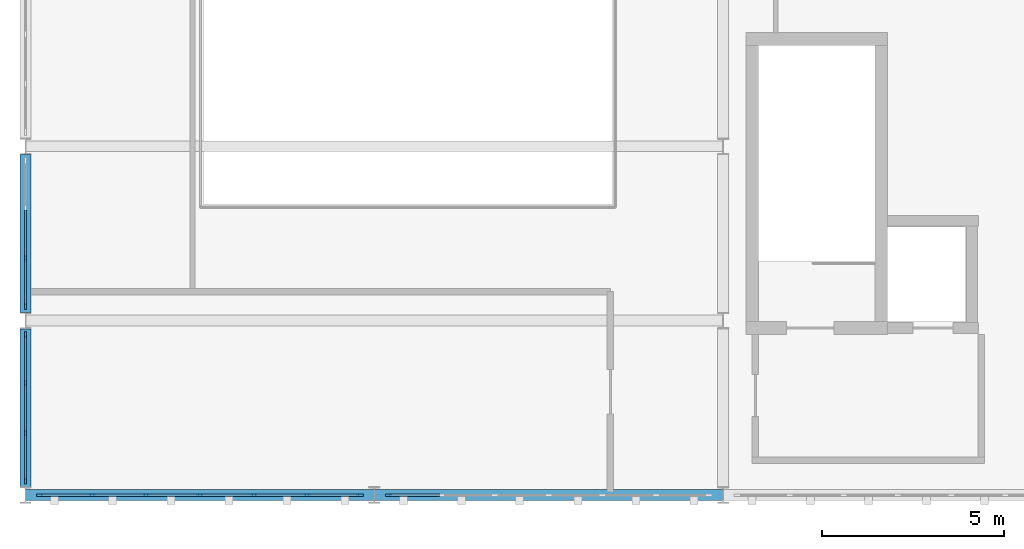
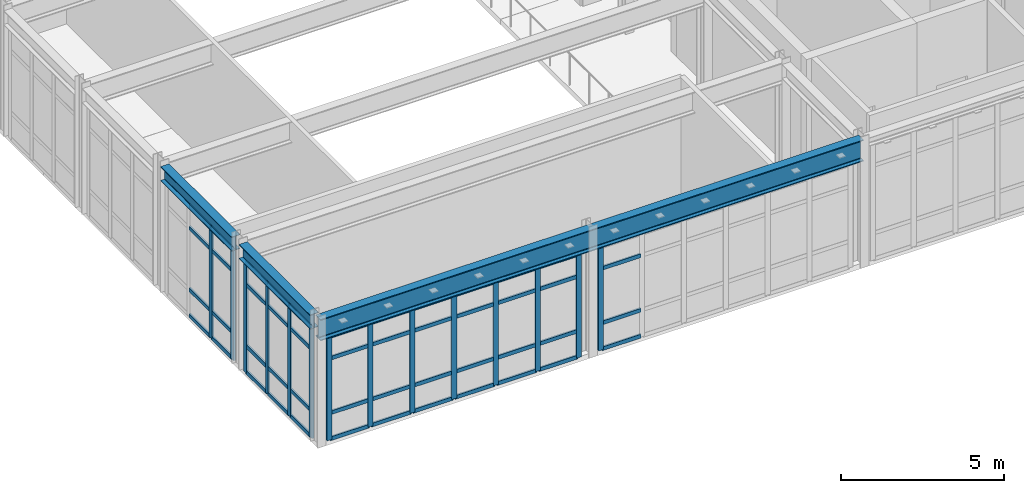
# One storey, part 2 of 16: 61 members, 3 beams, 4 elements without a shape of their own.
"""IFC4 building model written with IfcOpenShell, lengths in metres."""

from ifc_helpers import new_model, si_unit, direction, frame, origin, origin_2d, place, context, subcontext, project, spatial, rectangle, i_section, extrude, material, layer, layer_set, material_profile, profile_set, type_object, element, aggregate, save


model = new_model("IFC4")

# Units and contexts
model_context = context("Model", 3, precision=1e-05, world=origin(), true_north=direction((0.0, 1.0)))
body_context = subcontext(model_context, "Body", "Model", "MODEL_VIEW")
ifc_project = project(units=[si_unit("LENGTHUNIT", "METRE"), si_unit("AREAUNIT", "SQUARE_METRE"), si_unit("VOLUMEUNIT", "CUBIC_METRE"), si_unit("PLANEANGLEUNIT", "RADIAN"), si_unit("MASSUNIT", "GRAM", prefix="KILO")], contexts=[model_context])

# Site, building, storey
site_placement = place(None, origin())
site = spatial("IfcSite", under=ifc_project, at=site_placement, CompositionType="ELEMENT")
building_placement = place(site_placement, origin())
building = spatial("IfcBuilding", under=site, at=building_placement, Name="Nordkorset Police Headquarters", CompositionType="ELEMENT")
storey_placement = place(building_placement, frame((0.0, 0.0, 31.14990234375)))
storey = spatial("IfcBuildingStorey", under=building, at=storey_placement, Name="L07", CompositionType="ELEMENT", Elevation=31.14990234375)

# Curtain wall, members
ifc_material_1 = material(Name="Aluminium alloy AW-6060", Category="aluminium")
ifc_layer_1 = layer(ifc_material_1, 0.179931640625, Name="Aluminium alloy AW-6060")
ifc_layer_set_1 = layer_set([ifc_layer_1], Name="Aluminium alloy AW-6060")
curtain_wall_type_1 = type_object("IfcCurtainWallType", Name="CW_Unit_408x415", PredefinedType="USERDEFINED", material=ifc_layer_set_1)
curtain_wall_1_placement = place(storey_placement, origin())
curtain_wall_1 = element("IfcCurtainWall", 1, at=curtain_wall_1_placement, inside=storey, type_object=curtain_wall_type_1, Name="Unitised Curtain Wall L07 V1W-0", ObjectType="UNITISED CURTAIN WALL", PredefinedType="USERDEFINED")
ifc_material_2 = material(Name="Aluminium alloy AW-6060", Category="aluminium")
ifc_material_profile_1 = material_profile(ifc_material_2, rectangle(XDim=0.06494140625, YDim=0.179931640625, at=origin_2d()), Name="ALU MULL 65x180")
ifc_profile_set_1 = profile_set([ifc_material_profile_1], Name="Aluminium alloy AW-6060")
member_type_1 = type_object("IfcMemberType", Name="CW_Mullion_65x180", PredefinedType="MULLION", material=ifc_profile_set_1)
member_1_placement = place(storey_placement, frame((0.0, 83.592529296875, 0.0), z_axis=(0.0, 0.0, 1.0), x_axis=(-1.0, 0.0, 0.0)))
member_1 = element("IfcMember", 2, at=member_1_placement, type_object=member_type_1, Name="CW-101 mullion 1", PredefinedType="MULLION", context=body_context, shape_type="SweptSolid", body=[
    extrude(rectangle(XDim=0.06494140625, YDim=0.179931640625, at=origin_2d()), origin(), (0.0, 0.0, 1.0), 4.150146484375),
])
member_2_placement = place(storey_placement, frame((0.0, 84.919921875, 0.0), z_axis=(0.0, 0.0, 1.0), x_axis=(-1.0, 0.0, 0.0)))
member_2 = element("IfcMember", 3, at=member_2_placement, type_object=member_type_1, Name="CW-101 mullion 2", PredefinedType="MULLION", context=body_context, shape_type="SweptSolid", body=[
    extrude(rectangle(XDim=0.06494140625, YDim=0.179931640625, at=origin_2d()), origin(), (0.0, 0.0, 1.0), 4.150146484375),
])
member_3_placement = place(storey_placement, frame((0.0, 86.280029296875, 0.0), z_axis=(0.0, 0.0, 1.0), x_axis=(-1.0, 0.0, 0.0)))
member_3 = element("IfcMember", 4, at=member_3_placement, type_object=member_type_1, Name="CW-101 mullion 3", PredefinedType="MULLION", context=body_context, shape_type="SweptSolid", body=[
    extrude(rectangle(XDim=0.06494140625, YDim=0.179931640625, at=origin_2d()), origin(), (0.0, 0.0, 1.0), 4.150146484375),
])
member_4_placement = place(storey_placement, frame((0.0, 87.607421875, 0.0), z_axis=(0.0, 0.0, 1.0), x_axis=(-1.0, 0.0, 0.0)))
member_4 = element("IfcMember", 5, at=member_4_placement, type_object=member_type_1, Name="CW-101 mullion 4", PredefinedType="MULLION", context=body_context, shape_type="SweptSolid", body=[
    extrude(rectangle(XDim=0.06494140625, YDim=0.179931640625, at=origin_2d()), origin(), (0.0, 0.0, 1.0), 4.150146484375),
])

curtain_wall_2_placement = place(storey_placement, origin())
curtain_wall_2 = element("IfcCurtainWall", 6, at=curtain_wall_2_placement, inside=storey, type_object=curtain_wall_type_1, Name="Unitised Curtain Wall L07 V1W-1", ObjectType="UNITISED CURTAIN WALL", PredefinedType="USERDEFINED")
member_5_placement = place(storey_placement, frame((0.0, 88.392578125, 0.0), z_axis=(0.0, 0.0, 1.0), x_axis=(-1.0, 0.0, 0.0)))
member_5 = element("IfcMember", 7, at=member_5_placement, type_object=member_type_1, Name="CW-101 mullion 1", PredefinedType="MULLION", context=body_context, shape_type="SweptSolid", body=[
    extrude(rectangle(XDim=0.06494140625, YDim=0.179931640625, at=origin_2d()), origin(), (0.0, 0.0, 1.0), 4.150146484375),
])
member_6_placement = place(storey_placement, frame((0.0, 89.719970703125, 0.0), z_axis=(0.0, 0.0, 1.0), x_axis=(-1.0, 0.0, 0.0)))
member_6 = element("IfcMember", 8, at=member_6_placement, type_object=member_type_1, Name="CW-101 mullion 2", PredefinedType="MULLION", context=body_context, shape_type="SweptSolid", body=[
    extrude(rectangle(XDim=0.06494140625, YDim=0.179931640625, at=origin_2d()), origin(), (0.0, 0.0, 1.0), 4.150146484375),
])

ifc_material_3 = material(Name="Aluminium alloy AW-6060", Category="aluminium")
ifc_layer_2 = layer(ifc_material_3, 0.179931640625, Name="Aluminium alloy AW-6060")
ifc_layer_set_2 = layer_set([ifc_layer_2], Name="Aluminium alloy AW-6060")
curtain_wall_type_2 = type_object("IfcCurtainWallType", Name="CW_Unit_888x389", PredefinedType="USERDEFINED", material=ifc_layer_set_2)
curtain_wall_3_placement = place(storey_placement, origin())
curtain_wall_3 = element("IfcCurtainWall", 9, at=curtain_wall_3_placement, inside=storey, type_object=curtain_wall_type_2, Name="Unitised Curtain Wall L07 V1S-0", ObjectType="UNITISED CURTAIN WALL", PredefinedType="USERDEFINED")
member_7_placement = place(storey_placement, frame((0.392578125, 83.199951171875, 0.0), z_axis=(0.0, 0.0, 1.0), x_axis=(0.0, 1.0, 0.0)))
member_7 = element("IfcMember", 10, at=member_7_placement, type_object=member_type_1, Name="CW-76 mullion 1", PredefinedType="MULLION", context=body_context, shape_type="SweptSolid", body=[
    extrude(rectangle(XDim=0.06494140625, YDim=0.179931640625, at=origin_2d()), origin(), (0.0, 0.0, 1.0), 3.89013671875),
])
member_8_placement = place(storey_placement, frame((1.840087890625, 83.199951171875, 0.0), z_axis=(0.0, 0.0, 1.0), x_axis=(0.0, 1.0, 0.0)))
member_8 = element("IfcMember", 11, at=member_8_placement, type_object=member_type_1, Name="CW-76 mullion 2", PredefinedType="MULLION", context=body_context, shape_type="SweptSolid", body=[
    extrude(rectangle(XDim=0.06494140625, YDim=0.179931640625, at=origin_2d()), origin(), (0.0, 0.0, 1.0), 3.89013671875),
])
member_9_placement = place(storey_placement, frame((3.320068359375, 83.199951171875, 0.0), z_axis=(0.0, 0.0, 1.0), x_axis=(0.0, 1.0, 0.0)))
member_9 = element("IfcMember", 12, at=member_9_placement, type_object=member_type_1, Name="CW-76 mullion 3", PredefinedType="MULLION", context=body_context, shape_type="SweptSolid", body=[
    extrude(rectangle(XDim=0.06494140625, YDim=0.179931640625, at=origin_2d()), origin(), (0.0, 0.0, 1.0), 3.89013671875),
])
member_10_placement = place(storey_placement, frame((4.800048828125, 83.199951171875, 0.0), z_axis=(0.0, 0.0, 1.0), x_axis=(0.0, 1.0, 0.0)))
member_10 = element("IfcMember", 13, at=member_10_placement, type_object=member_type_1, Name="CW-76 mullion 4", PredefinedType="MULLION", context=body_context, shape_type="SweptSolid", body=[
    extrude(rectangle(XDim=0.06494140625, YDim=0.179931640625, at=origin_2d()), origin(), (0.0, 0.0, 1.0), 3.89013671875),
])
member_11_placement = place(storey_placement, frame((6.280029296875, 83.199951171875, 0.0), z_axis=(0.0, 0.0, 1.0), x_axis=(0.0, 1.0, 0.0)))
member_11 = element("IfcMember", 14, at=member_11_placement, type_object=member_type_1, Name="CW-76 mullion 5", PredefinedType="MULLION", context=body_context, shape_type="SweptSolid", body=[
    extrude(rectangle(XDim=0.06494140625, YDim=0.179931640625, at=origin_2d()), origin(), (0.0, 0.0, 1.0), 3.89013671875),
])
member_12_placement = place(storey_placement, frame((7.760009765625, 83.199951171875, 0.0), z_axis=(0.0, 0.0, 1.0), x_axis=(0.0, 1.0, 0.0)))
member_12 = element("IfcMember", 15, at=member_12_placement, type_object=member_type_1, Name="CW-76 mullion 6", PredefinedType="MULLION", context=body_context, shape_type="SweptSolid", body=[
    extrude(rectangle(XDim=0.06494140625, YDim=0.179931640625, at=origin_2d()), origin(), (0.0, 0.0, 1.0), 3.89013671875),
])
member_13_placement = place(storey_placement, frame((9.20751953125, 83.199951171875, 0.0), z_axis=(0.0, 0.0, 1.0), x_axis=(0.0, 1.0, 0.0)))
member_13 = element("IfcMember", 16, at=member_13_placement, type_object=member_type_1, Name="CW-76 mullion 7", PredefinedType="MULLION", context=body_context, shape_type="SweptSolid", body=[
    extrude(rectangle(XDim=0.06494140625, YDim=0.179931640625, at=origin_2d()), origin(), (0.0, 0.0, 1.0), 3.89013671875),
])

# Curtain wall, member
curtain_wall_4_placement = place(storey_placement, origin())
curtain_wall_4 = element("IfcCurtainWall", 17, at=curtain_wall_4_placement, inside=storey, type_object=curtain_wall_type_2, Name="Unitised Curtain Wall L07 V1S-1", ObjectType="UNITISED CURTAIN WALL", PredefinedType="USERDEFINED")
member_14_placement = place(storey_placement, frame((9.992431640625, 83.199951171875, 0.0), z_axis=(0.0, 0.0, 1.0), x_axis=(0.0, 1.0, 0.0)))
member_14 = element("IfcMember", 18, at=member_14_placement, type_object=member_type_1, Name="CW-76 mullion 1", PredefinedType="MULLION", context=body_context, shape_type="SweptSolid", body=[
    extrude(rectangle(XDim=0.06494140625, YDim=0.179931640625, at=origin_2d()), origin(), (0.0, 0.0, 1.0), 3.89013671875),
])

# Member
ifc_material_4 = material(Name="Aluminium alloy AW-6060", Category="aluminium")
ifc_material_profile_2 = material_profile(ifc_material_4, rectangle(XDim=0.06494140625, YDim=0.139892578125, at=origin_2d()), Name="ALU TRAN 65x140")
ifc_profile_set_2 = profile_set([ifc_material_profile_2], Name="Aluminium alloy AW-6060")
member_type_2 = type_object("IfcMemberType", Name="CW_Transom_65x140", PredefinedType="USERDEFINED", material=ifc_profile_set_2)
member_15_placement = place(storey_placement, frame((0.0, 83.625, 0.03271484375), z_axis=(0.0, 1.0, 0.0), x_axis=(-1.0, 0.0, 0.0)))
member_15 = element("IfcMember", 19, at=member_15_placement, type_object=member_type_2, Name="CW-101 transom 1.1", ObjectType="TRANSOM", PredefinedType="USERDEFINED", context=body_context, shape_type="SweptSolid", body=[
    extrude(rectangle(XDim=0.06494140625, YDim=0.139892578125, at=origin_2d()), origin(), (0.0, 0.0, 1.0), 1.262451171875),
])

member_16_placement = place(storey_placement, frame((0.0, 83.625, 1.0), z_axis=(0.0, 1.0, 0.0), x_axis=(-1.0, 0.0, 0.0)))
member_16 = element("IfcMember", 20, at=member_16_placement, type_object=member_type_2, Name="CW-101 transom 1.2", ObjectType="TRANSOM", PredefinedType="USERDEFINED", context=body_context, shape_type="SweptSolid", body=[
    extrude(rectangle(XDim=0.06494140625, YDim=0.139892578125, at=origin_2d()), origin(), (0.0, 0.0, 1.0), 1.262451171875),
])

member_17_placement = place(storey_placement, frame((0.0, 83.625, 3.300048828125), z_axis=(0.0, 1.0, 0.0), x_axis=(-1.0, 0.0, 0.0)))
member_17 = element("IfcMember", 21, at=member_17_placement, type_object=member_type_2, Name="CW-101 transom 1.3", ObjectType="TRANSOM", PredefinedType="USERDEFINED", context=body_context, shape_type="SweptSolid", body=[
    extrude(rectangle(XDim=0.06494140625, YDim=0.139892578125, at=origin_2d()), origin(), (0.0, 0.0, 1.0), 1.262451171875),
])

member_18_placement = place(storey_placement, frame((0.0, 83.625, 4.11767578125), z_axis=(0.0, 1.0, 0.0), x_axis=(-1.0, 0.0, 0.0)))
member_18 = element("IfcMember", 22, at=member_18_placement, type_object=member_type_2, Name="CW-101 transom 1.4", ObjectType="TRANSOM", PredefinedType="USERDEFINED", context=body_context, shape_type="SweptSolid", body=[
    extrude(rectangle(XDim=0.06494140625, YDim=0.139892578125, at=origin_2d()), origin(), (0.0, 0.0, 1.0), 1.262451171875),
])

member_19_placement = place(storey_placement, frame((0.0, 84.952392578125, 0.03271484375), z_axis=(0.0, 1.0, 0.0), x_axis=(-1.0, 0.0, 0.0)))
member_19 = element("IfcMember", 23, at=member_19_placement, type_object=member_type_2, Name="CW-101 transom 2.1", ObjectType="TRANSOM", PredefinedType="USERDEFINED", context=body_context, shape_type="SweptSolid", body=[
    extrude(rectangle(XDim=0.06494140625, YDim=0.139892578125, at=origin_2d()), origin(), (0.0, 0.0, 1.0), 1.295166015625),
])

member_20_placement = place(storey_placement, frame((0.0, 84.952392578125, 1.0), z_axis=(0.0, 1.0, 0.0), x_axis=(-1.0, 0.0, 0.0)))
member_20 = element("IfcMember", 24, at=member_20_placement, type_object=member_type_2, Name="CW-101 transom 2.2", ObjectType="TRANSOM", PredefinedType="USERDEFINED", context=body_context, shape_type="SweptSolid", body=[
    extrude(rectangle(XDim=0.06494140625, YDim=0.139892578125, at=origin_2d()), origin(), (0.0, 0.0, 1.0), 1.295166015625),
])

member_21_placement = place(storey_placement, frame((0.0, 84.952392578125, 3.300048828125), z_axis=(0.0, 1.0, 0.0), x_axis=(-1.0, 0.0, 0.0)))
member_21 = element("IfcMember", 25, at=member_21_placement, type_object=member_type_2, Name="CW-101 transom 2.3", ObjectType="TRANSOM", PredefinedType="USERDEFINED", context=body_context, shape_type="SweptSolid", body=[
    extrude(rectangle(XDim=0.06494140625, YDim=0.139892578125, at=origin_2d()), origin(), (0.0, 0.0, 1.0), 1.295166015625),
])

member_22_placement = place(storey_placement, frame((0.0, 84.952392578125, 4.11767578125), z_axis=(0.0, 1.0, 0.0), x_axis=(-1.0, 0.0, 0.0)))
member_22 = element("IfcMember", 26, at=member_22_placement, type_object=member_type_2, Name="CW-101 transom 2.4", ObjectType="TRANSOM", PredefinedType="USERDEFINED", context=body_context, shape_type="SweptSolid", body=[
    extrude(rectangle(XDim=0.06494140625, YDim=0.139892578125, at=origin_2d()), origin(), (0.0, 0.0, 1.0), 1.295166015625),
])

member_23_placement = place(storey_placement, frame((0.0, 86.3125, 0.03271484375), z_axis=(0.0, 1.0, 0.0), x_axis=(-1.0, 0.0, 0.0)))
member_23 = element("IfcMember", 27, at=member_23_placement, type_object=member_type_2, Name="CW-101 transom 3.1", ObjectType="TRANSOM", PredefinedType="USERDEFINED", context=body_context, shape_type="SweptSolid", body=[
    extrude(rectangle(XDim=0.06494140625, YDim=0.139892578125, at=origin_2d()), origin(), (0.0, 0.0, 1.0), 1.262451171875),
])

member_24_placement = place(storey_placement, frame((0.0, 86.3125, 1.0), z_axis=(0.0, 1.0, 0.0), x_axis=(-1.0, 0.0, 0.0)))
member_24 = element("IfcMember", 28, at=member_24_placement, type_object=member_type_2, Name="CW-101 transom 3.2", ObjectType="TRANSOM", PredefinedType="USERDEFINED", context=body_context, shape_type="SweptSolid", body=[
    extrude(rectangle(XDim=0.06494140625, YDim=0.139892578125, at=origin_2d()), origin(), (0.0, 0.0, 1.0), 1.262451171875),
])

member_25_placement = place(storey_placement, frame((0.0, 86.3125, 3.300048828125), z_axis=(0.0, 1.0, 0.0), x_axis=(-1.0, 0.0, 0.0)))
member_25 = element("IfcMember", 29, at=member_25_placement, type_object=member_type_2, Name="CW-101 transom 3.3", ObjectType="TRANSOM", PredefinedType="USERDEFINED", context=body_context, shape_type="SweptSolid", body=[
    extrude(rectangle(XDim=0.06494140625, YDim=0.139892578125, at=origin_2d()), origin(), (0.0, 0.0, 1.0), 1.262451171875),
])

member_26_placement = place(storey_placement, frame((0.0, 86.3125, 4.11767578125), z_axis=(0.0, 1.0, 0.0), x_axis=(-1.0, 0.0, 0.0)))
member_26 = element("IfcMember", 30, at=member_26_placement, type_object=member_type_2, Name="CW-101 transom 3.4", ObjectType="TRANSOM", PredefinedType="USERDEFINED", context=body_context, shape_type="SweptSolid", body=[
    extrude(rectangle(XDim=0.06494140625, YDim=0.139892578125, at=origin_2d()), origin(), (0.0, 0.0, 1.0), 1.262451171875),
])

aggregate(curtain_wall_1, [member_1, member_2, member_3, member_4, member_15, member_16, member_17, member_18, member_19, member_20, member_21, member_22, member_23, member_24, member_25, member_26])

member_27_placement = place(storey_placement, frame((0.0, 88.425048828125, 0.03271484375), z_axis=(0.0, 1.0, 0.0), x_axis=(-1.0, 0.0, 0.0)))
member_27 = element("IfcMember", 31, at=member_27_placement, type_object=member_type_2, Name="CW-101 transom 1.1", ObjectType="TRANSOM", PredefinedType="USERDEFINED", context=body_context, shape_type="SweptSolid", body=[
    extrude(rectangle(XDim=0.06494140625, YDim=0.139892578125, at=origin_2d()), origin(), (0.0, 0.0, 1.0), 1.262451171875),
])

member_28_placement = place(storey_placement, frame((0.0, 88.425048828125, 1.0), z_axis=(0.0, 1.0, 0.0), x_axis=(-1.0, 0.0, 0.0)))
member_28 = element("IfcMember", 32, at=member_28_placement, type_object=member_type_2, Name="CW-101 transom 1.2", ObjectType="TRANSOM", PredefinedType="USERDEFINED", context=body_context, shape_type="SweptSolid", body=[
    extrude(rectangle(XDim=0.06494140625, YDim=0.139892578125, at=origin_2d()), origin(), (0.0, 0.0, 1.0), 1.262451171875),
])

member_29_placement = place(storey_placement, frame((0.0, 88.425048828125, 3.300048828125), z_axis=(0.0, 1.0, 0.0), x_axis=(-1.0, 0.0, 0.0)))
member_29 = element("IfcMember", 33, at=member_29_placement, type_object=member_type_2, Name="CW-101 transom 1.3", ObjectType="TRANSOM", PredefinedType="USERDEFINED", context=body_context, shape_type="SweptSolid", body=[
    extrude(rectangle(XDim=0.06494140625, YDim=0.139892578125, at=origin_2d()), origin(), (0.0, 0.0, 1.0), 1.262451171875),
])

member_30_placement = place(storey_placement, frame((0.0, 88.425048828125, 4.11767578125), z_axis=(0.0, 1.0, 0.0), x_axis=(-1.0, 0.0, 0.0)))
member_30 = element("IfcMember", 34, at=member_30_placement, type_object=member_type_2, Name="CW-101 transom 1.4", ObjectType="TRANSOM", PredefinedType="USERDEFINED", context=body_context, shape_type="SweptSolid", body=[
    extrude(rectangle(XDim=0.06494140625, YDim=0.139892578125, at=origin_2d()), origin(), (0.0, 0.0, 1.0), 1.262451171875),
])

member_31_placement = place(storey_placement, frame((0.0, 89.75244140625, 0.03271484375), z_axis=(0.0, 1.0, 0.0), x_axis=(-1.0, 0.0, 0.0)))
member_31 = element("IfcMember", 35, at=member_31_placement, type_object=member_type_2, Name="CW-101 transom 2.1", ObjectType="TRANSOM", PredefinedType="USERDEFINED", context=body_context, shape_type="SweptSolid", body=[
    extrude(rectangle(XDim=0.06494140625, YDim=0.139892578125, at=origin_2d()), origin(), (0.0, 0.0, 1.0), 1.295166015625),
])

member_32_placement = place(storey_placement, frame((0.0, 89.75244140625, 1.0), z_axis=(0.0, 1.0, 0.0), x_axis=(-1.0, 0.0, 0.0)))
member_32 = element("IfcMember", 36, at=member_32_placement, type_object=member_type_2, Name="CW-101 transom 2.2", ObjectType="TRANSOM", PredefinedType="USERDEFINED", context=body_context, shape_type="SweptSolid", body=[
    extrude(rectangle(XDim=0.06494140625, YDim=0.139892578125, at=origin_2d()), origin(), (0.0, 0.0, 1.0), 1.295166015625),
])

member_33_placement = place(storey_placement, frame((0.0, 89.75244140625, 3.300048828125), z_axis=(0.0, 1.0, 0.0), x_axis=(-1.0, 0.0, 0.0)))
member_33 = element("IfcMember", 37, at=member_33_placement, type_object=member_type_2, Name="CW-101 transom 2.3", ObjectType="TRANSOM", PredefinedType="USERDEFINED", context=body_context, shape_type="SweptSolid", body=[
    extrude(rectangle(XDim=0.06494140625, YDim=0.139892578125, at=origin_2d()), origin(), (0.0, 0.0, 1.0), 1.295166015625),
])

member_34_placement = place(storey_placement, frame((0.0, 89.75244140625, 4.11767578125), z_axis=(0.0, 1.0, 0.0), x_axis=(-1.0, 0.0, 0.0)))
member_34 = element("IfcMember", 38, at=member_34_placement, type_object=member_type_2, Name="CW-101 transom 2.4", ObjectType="TRANSOM", PredefinedType="USERDEFINED", context=body_context, shape_type="SweptSolid", body=[
    extrude(rectangle(XDim=0.06494140625, YDim=0.139892578125, at=origin_2d()), origin(), (0.0, 0.0, 1.0), 1.295166015625),
])

aggregate(curtain_wall_2, [member_5, member_6, member_27, member_28, member_29, member_30, member_31, member_32, member_33, member_34])

member_35_placement = place(storey_placement, frame((0.425048828125, 83.199951171875, 0.03271484375), z_axis=(1.0, 0.0, 0.0), x_axis=(0.0, 1.0, 0.0)))
member_35 = element("IfcMember", 39, at=member_35_placement, type_object=member_type_2, Name="CW-76 transom 1.1", ObjectType="TRANSOM", PredefinedType="USERDEFINED", context=body_context, shape_type="SweptSolid", body=[
    extrude(rectangle(XDim=0.06494140625, YDim=0.139892578125, at=origin_2d()), origin(), (0.0, 0.0, 1.0), 1.382568359375),
])

member_36_placement = place(storey_placement, frame((0.425048828125, 83.199951171875, 1.0), z_axis=(1.0, 0.0, 0.0), x_axis=(0.0, 1.0, 0.0)))
member_36 = element("IfcMember", 40, at=member_36_placement, type_object=member_type_2, Name="CW-76 transom 1.2", ObjectType="TRANSOM", PredefinedType="USERDEFINED", context=body_context, shape_type="SweptSolid", body=[
    extrude(rectangle(XDim=0.06494140625, YDim=0.139892578125, at=origin_2d()), origin(), (0.0, 0.0, 1.0), 1.382568359375),
])

member_37_placement = place(storey_placement, frame((0.425048828125, 83.199951171875, 3.0400390625), z_axis=(1.0, 0.0, 0.0), x_axis=(0.0, 1.0, 0.0)))
member_37 = element("IfcMember", 41, at=member_37_placement, type_object=member_type_2, Name="CW-76 transom 1.3", ObjectType="TRANSOM", PredefinedType="USERDEFINED", context=body_context, shape_type="SweptSolid", body=[
    extrude(rectangle(XDim=0.06494140625, YDim=0.139892578125, at=origin_2d()), origin(), (0.0, 0.0, 1.0), 1.382568359375),
])

member_38_placement = place(storey_placement, frame((0.425048828125, 83.199951171875, 3.857666015625), z_axis=(1.0, 0.0, 0.0), x_axis=(0.0, 1.0, 0.0)))
member_38 = element("IfcMember", 42, at=member_38_placement, type_object=member_type_2, Name="CW-76 transom 1.4", ObjectType="TRANSOM", PredefinedType="USERDEFINED", context=body_context, shape_type="SweptSolid", body=[
    extrude(rectangle(XDim=0.06494140625, YDim=0.139892578125, at=origin_2d()), origin(), (0.0, 0.0, 1.0), 1.382568359375),
])

member_39_placement = place(storey_placement, frame((1.87255859375, 83.199951171875, 0.03271484375), z_axis=(1.0, 0.0, 0.0), x_axis=(0.0, 1.0, 0.0)))
member_39 = element("IfcMember", 43, at=member_39_placement, type_object=member_type_2, Name="CW-76 transom 2.1", ObjectType="TRANSOM", PredefinedType="USERDEFINED", context=body_context, shape_type="SweptSolid", body=[
    extrude(rectangle(XDim=0.06494140625, YDim=0.139892578125, at=origin_2d()), origin(), (0.0, 0.0, 1.0), 1.4150390625),
])

member_40_placement = place(storey_placement, frame((1.87255859375, 83.199951171875, 1.0), z_axis=(1.0, 0.0, 0.0), x_axis=(0.0, 1.0, 0.0)))
member_40 = element("IfcMember", 44, at=member_40_placement, type_object=member_type_2, Name="CW-76 transom 2.2", ObjectType="TRANSOM", PredefinedType="USERDEFINED", context=body_context, shape_type="SweptSolid", body=[
    extrude(rectangle(XDim=0.06494140625, YDim=0.139892578125, at=origin_2d()), origin(), (0.0, 0.0, 1.0), 1.4150390625),
])

member_41_placement = place(storey_placement, frame((1.87255859375, 83.199951171875, 3.0400390625), z_axis=(1.0, 0.0, 0.0), x_axis=(0.0, 1.0, 0.0)))
member_41 = element("IfcMember", 45, at=member_41_placement, type_object=member_type_2, Name="CW-76 transom 2.3", ObjectType="TRANSOM", PredefinedType="USERDEFINED", context=body_context, shape_type="SweptSolid", body=[
    extrude(rectangle(XDim=0.06494140625, YDim=0.139892578125, at=origin_2d()), origin(), (0.0, 0.0, 1.0), 1.4150390625),
])

member_42_placement = place(storey_placement, frame((1.87255859375, 83.199951171875, 3.857666015625), z_axis=(1.0, 0.0, 0.0), x_axis=(0.0, 1.0, 0.0)))
member_42 = element("IfcMember", 46, at=member_42_placement, type_object=member_type_2, Name="CW-76 transom 2.4", ObjectType="TRANSOM", PredefinedType="USERDEFINED", context=body_context, shape_type="SweptSolid", body=[
    extrude(rectangle(XDim=0.06494140625, YDim=0.139892578125, at=origin_2d()), origin(), (0.0, 0.0, 1.0), 1.4150390625),
])

member_43_placement = place(storey_placement, frame((3.3525390625, 83.199951171875, 0.03271484375), z_axis=(1.0, 0.0, 0.0), x_axis=(0.0, 1.0, 0.0)))
member_43 = element("IfcMember", 47, at=member_43_placement, type_object=member_type_2, Name="CW-76 transom 3.1", ObjectType="TRANSOM", PredefinedType="USERDEFINED", context=body_context, shape_type="SweptSolid", body=[
    extrude(rectangle(XDim=0.06494140625, YDim=0.139892578125, at=origin_2d()), origin(), (0.0, 0.0, 1.0), 1.4150390625),
])

member_44_placement = place(storey_placement, frame((3.3525390625, 83.199951171875, 1.0), z_axis=(1.0, 0.0, 0.0), x_axis=(0.0, 1.0, 0.0)))
member_44 = element("IfcMember", 48, at=member_44_placement, type_object=member_type_2, Name="CW-76 transom 3.2", ObjectType="TRANSOM", PredefinedType="USERDEFINED", context=body_context, shape_type="SweptSolid", body=[
    extrude(rectangle(XDim=0.06494140625, YDim=0.139892578125, at=origin_2d()), origin(), (0.0, 0.0, 1.0), 1.4150390625),
])

member_45_placement = place(storey_placement, frame((3.3525390625, 83.199951171875, 3.0400390625), z_axis=(1.0, 0.0, 0.0), x_axis=(0.0, 1.0, 0.0)))
member_45 = element("IfcMember", 49, at=member_45_placement, type_object=member_type_2, Name="CW-76 transom 3.3", ObjectType="TRANSOM", PredefinedType="USERDEFINED", context=body_context, shape_type="SweptSolid", body=[
    extrude(rectangle(XDim=0.06494140625, YDim=0.139892578125, at=origin_2d()), origin(), (0.0, 0.0, 1.0), 1.4150390625),
])

member_46_placement = place(storey_placement, frame((3.3525390625, 83.199951171875, 3.857666015625), z_axis=(1.0, 0.0, 0.0), x_axis=(0.0, 1.0, 0.0)))
member_46 = element("IfcMember", 50, at=member_46_placement, type_object=member_type_2, Name="CW-76 transom 3.4", ObjectType="TRANSOM", PredefinedType="USERDEFINED", context=body_context, shape_type="SweptSolid", body=[
    extrude(rectangle(XDim=0.06494140625, YDim=0.139892578125, at=origin_2d()), origin(), (0.0, 0.0, 1.0), 1.4150390625),
])

member_47_placement = place(storey_placement, frame((4.83251953125, 83.199951171875, 0.03271484375), z_axis=(1.0, 0.0, 0.0), x_axis=(0.0, 1.0, 0.0)))
member_47 = element("IfcMember", 51, at=member_47_placement, type_object=member_type_2, Name="CW-76 transom 4.1", ObjectType="TRANSOM", PredefinedType="USERDEFINED", context=body_context, shape_type="SweptSolid", body=[
    extrude(rectangle(XDim=0.06494140625, YDim=0.139892578125, at=origin_2d()), origin(), (0.0, 0.0, 1.0), 1.4150390625),
])

member_48_placement = place(storey_placement, frame((4.83251953125, 83.199951171875, 1.0), z_axis=(1.0, 0.0, 0.0), x_axis=(0.0, 1.0, 0.0)))
member_48 = element("IfcMember", 52, at=member_48_placement, type_object=member_type_2, Name="CW-76 transom 4.2", ObjectType="TRANSOM", PredefinedType="USERDEFINED", context=body_context, shape_type="SweptSolid", body=[
    extrude(rectangle(XDim=0.06494140625, YDim=0.139892578125, at=origin_2d()), origin(), (0.0, 0.0, 1.0), 1.4150390625),
])

member_49_placement = place(storey_placement, frame((4.83251953125, 83.199951171875, 3.0400390625), z_axis=(1.0, 0.0, 0.0), x_axis=(0.0, 1.0, 0.0)))
member_49 = element("IfcMember", 53, at=member_49_placement, type_object=member_type_2, Name="CW-76 transom 4.3", ObjectType="TRANSOM", PredefinedType="USERDEFINED", context=body_context, shape_type="SweptSolid", body=[
    extrude(rectangle(XDim=0.06494140625, YDim=0.139892578125, at=origin_2d()), origin(), (0.0, 0.0, 1.0), 1.4150390625),
])

member_50_placement = place(storey_placement, frame((4.83251953125, 83.199951171875, 3.857666015625), z_axis=(1.0, 0.0, 0.0), x_axis=(0.0, 1.0, 0.0)))
member_50 = element("IfcMember", 54, at=member_50_placement, type_object=member_type_2, Name="CW-76 transom 4.4", ObjectType="TRANSOM", PredefinedType="USERDEFINED", context=body_context, shape_type="SweptSolid", body=[
    extrude(rectangle(XDim=0.06494140625, YDim=0.139892578125, at=origin_2d()), origin(), (0.0, 0.0, 1.0), 1.4150390625),
])

member_51_placement = place(storey_placement, frame((6.3125, 83.199951171875, 0.03271484375), z_axis=(1.0, 0.0, 0.0), x_axis=(0.0, 1.0, 0.0)))
member_51 = element("IfcMember", 55, at=member_51_placement, type_object=member_type_2, Name="CW-76 transom 5.1", ObjectType="TRANSOM", PredefinedType="USERDEFINED", context=body_context, shape_type="SweptSolid", body=[
    extrude(rectangle(XDim=0.06494140625, YDim=0.139892578125, at=origin_2d()), origin(), (0.0, 0.0, 1.0), 1.4150390625),
])

member_52_placement = place(storey_placement, frame((6.3125, 83.199951171875, 1.0), z_axis=(1.0, 0.0, 0.0), x_axis=(0.0, 1.0, 0.0)))
member_52 = element("IfcMember", 56, at=member_52_placement, type_object=member_type_2, Name="CW-76 transom 5.2", ObjectType="TRANSOM", PredefinedType="USERDEFINED", context=body_context, shape_type="SweptSolid", body=[
    extrude(rectangle(XDim=0.06494140625, YDim=0.139892578125, at=origin_2d()), origin(), (0.0, 0.0, 1.0), 1.4150390625),
])

member_53_placement = place(storey_placement, frame((6.3125, 83.199951171875, 3.0400390625), z_axis=(1.0, 0.0, 0.0), x_axis=(0.0, 1.0, 0.0)))
member_53 = element("IfcMember", 57, at=member_53_placement, type_object=member_type_2, Name="CW-76 transom 5.3", ObjectType="TRANSOM", PredefinedType="USERDEFINED", context=body_context, shape_type="SweptSolid", body=[
    extrude(rectangle(XDim=0.06494140625, YDim=0.139892578125, at=origin_2d()), origin(), (0.0, 0.0, 1.0), 1.4150390625),
])

member_54_placement = place(storey_placement, frame((6.3125, 83.199951171875, 3.857666015625), z_axis=(1.0, 0.0, 0.0), x_axis=(0.0, 1.0, 0.0)))
member_54 = element("IfcMember", 58, at=member_54_placement, type_object=member_type_2, Name="CW-76 transom 5.4", ObjectType="TRANSOM", PredefinedType="USERDEFINED", context=body_context, shape_type="SweptSolid", body=[
    extrude(rectangle(XDim=0.06494140625, YDim=0.139892578125, at=origin_2d()), origin(), (0.0, 0.0, 1.0), 1.4150390625),
])

member_55_placement = place(storey_placement, frame((7.79248046875, 83.199951171875, 0.03271484375), z_axis=(1.0, 0.0, 0.0), x_axis=(0.0, 1.0, 0.0)))
member_55 = element("IfcMember", 59, at=member_55_placement, type_object=member_type_2, Name="CW-76 transom 6.1", ObjectType="TRANSOM", PredefinedType="USERDEFINED", context=body_context, shape_type="SweptSolid", body=[
    extrude(rectangle(XDim=0.06494140625, YDim=0.139892578125, at=origin_2d()), origin(), (0.0, 0.0, 1.0), 1.382568359375),
])

member_56_placement = place(storey_placement, frame((7.79248046875, 83.199951171875, 1.0), z_axis=(1.0, 0.0, 0.0), x_axis=(0.0, 1.0, 0.0)))
member_56 = element("IfcMember", 60, at=member_56_placement, type_object=member_type_2, Name="CW-76 transom 6.2", ObjectType="TRANSOM", PredefinedType="USERDEFINED", context=body_context, shape_type="SweptSolid", body=[
    extrude(rectangle(XDim=0.06494140625, YDim=0.139892578125, at=origin_2d()), origin(), (0.0, 0.0, 1.0), 1.382568359375),
])

member_57_placement = place(storey_placement, frame((7.79248046875, 83.199951171875, 3.0400390625), z_axis=(1.0, 0.0, 0.0), x_axis=(0.0, 1.0, 0.0)))
member_57 = element("IfcMember", 61, at=member_57_placement, type_object=member_type_2, Name="CW-76 transom 6.3", ObjectType="TRANSOM", PredefinedType="USERDEFINED", context=body_context, shape_type="SweptSolid", body=[
    extrude(rectangle(XDim=0.06494140625, YDim=0.139892578125, at=origin_2d()), origin(), (0.0, 0.0, 1.0), 1.382568359375),
])

member_58_placement = place(storey_placement, frame((7.79248046875, 83.199951171875, 3.857666015625), z_axis=(1.0, 0.0, 0.0), x_axis=(0.0, 1.0, 0.0)))
member_58 = element("IfcMember", 62, at=member_58_placement, type_object=member_type_2, Name="CW-76 transom 6.4", ObjectType="TRANSOM", PredefinedType="USERDEFINED", context=body_context, shape_type="SweptSolid", body=[
    extrude(rectangle(XDim=0.06494140625, YDim=0.139892578125, at=origin_2d()), origin(), (0.0, 0.0, 1.0), 1.382568359375),
])

aggregate(curtain_wall_3, [member_7, member_8, member_9, member_10, member_11, member_12, member_13, member_35, member_36, member_37, member_38, member_39, member_40, member_41, member_42, member_43, member_44, member_45, member_46, member_47, member_48, member_49, member_50, member_51, member_52, member_53, member_54, member_55, member_56, member_57, member_58])

member_59_placement = place(storey_placement, frame((10.02490234375, 83.199951171875, 0.03271484375), z_axis=(1.0, 0.0, 0.0), x_axis=(0.0, 1.0, 0.0)))
member_59 = element("IfcMember", 63, at=member_59_placement, type_object=member_type_2, Name="CW-76 transom 1.1", ObjectType="TRANSOM", PredefinedType="USERDEFINED", context=body_context, shape_type="SweptSolid", body=[
    extrude(rectangle(XDim=0.06494140625, YDim=0.139892578125, at=origin_2d()), origin(), (0.0, 0.0, 1.0), 1.382568359375),
])

member_60_placement = place(storey_placement, frame((10.02490234375, 83.199951171875, 1.0), z_axis=(1.0, 0.0, 0.0), x_axis=(0.0, 1.0, 0.0)))
member_60 = element("IfcMember", 64, at=member_60_placement, type_object=member_type_2, Name="CW-76 transom 1.2", ObjectType="TRANSOM", PredefinedType="USERDEFINED", context=body_context, shape_type="SweptSolid", body=[
    extrude(rectangle(XDim=0.06494140625, YDim=0.139892578125, at=origin_2d()), origin(), (0.0, 0.0, 1.0), 1.382568359375),
])

member_61_placement = place(storey_placement, frame((10.02490234375, 83.199951171875, 3.0400390625), z_axis=(1.0, 0.0, 0.0), x_axis=(0.0, 1.0, 0.0)))
member_61 = element("IfcMember", 65, at=member_61_placement, type_object=member_type_2, Name="CW-76 transom 1.3", ObjectType="TRANSOM", PredefinedType="USERDEFINED", context=body_context, shape_type="SweptSolid", body=[
    extrude(rectangle(XDim=0.06494140625, YDim=0.139892578125, at=origin_2d()), origin(), (0.0, 0.0, 1.0), 1.382568359375),
])

aggregate(curtain_wall_4, [member_14, member_59, member_60, member_61])

# Beams
ifc_material_5 = material(Name="Steel S355J2", Category="steel")
ifc_material_profile_3 = material_profile(ifc_material_5, i_section(OverallWidth=0.300048828125, OverallDepth=0.5400390625, WebThickness=0.012451171875, FlangeThickness=0.02392578125, FilletRadius=0.027099609375, at=origin_2d()), Name="HEA 550")
ifc_profile_set_3 = profile_set([ifc_material_profile_3], Name="Steel S355J2")
beam_type_1 = type_object("IfcBeamType", Name="Girder_HEA_550", PredefinedType="USERDEFINED", material=ifc_profile_set_3)
for number, where, z_axis, x_axis, name in (
    (66, (0.0, 83.425048828125, 4.440185546875), (0.0, 1.0, 0.0), (-1.0, 0.0, 0.0), "Girder V1 L07 GY-0-0"),
    (67, (0.0, 88.22509765625, 4.440185546875), (0.0, 1.0, 0.0), (-1.0, 0.0, 0.0), "Girder V1 L07 GY-0-1"),
):
    element("IfcBeam", number, at=place(storey_placement, frame(where, z_axis=z_axis, x_axis=x_axis)), inside=storey, type_object=beam_type_1, Name=name, ObjectType="GIRDER", PredefinedType="USERDEFINED", context=body_context, shape_type="SweptSolid", body=[
        extrude(i_section(OverallWidth=0.300048828125, OverallDepth=0.5400390625, WebThickness=0.012451171875, FlangeThickness=0.02392578125, FilletRadius=0.027099609375, at=origin_2d()), origin(), (0.0, 0.0, 1.0), 4.349853515625),
    ])
ifc_material_6 = material(Name="Steel S355J2", Category="steel")
ifc_material_profile_4 = material_profile(ifc_material_6, i_section(OverallWidth=0.300048828125, OverallDepth=0.800048828125, WebThickness=0.017578125, FlangeThickness=0.032958984375, FilletRadius=0.030029296875, at=origin_2d()), Name="HEB 800")
ifc_profile_set_4 = profile_set([ifc_material_profile_4], Name="Steel S355J2")
beam_type_2 = type_object("IfcBeamType", Name="Girder_HEB_800", PredefinedType="USERDEFINED", material=ifc_profile_set_4)
beam_placement = place(storey_placement, frame((0.007080078125, 83.199951171875, 4.31005859375), z_axis=(1.0, 0.0, 0.0), x_axis=(0.0, 1.0, 0.0)))
element("IfcBeam", 68, at=beam_placement, inside=storey, type_object=beam_type_2, Name="Girder V1 L07 GX-0-0", ObjectType="GIRDER", PredefinedType="USERDEFINED", context=body_context, shape_type="SweptSolid", body=[
    extrude(i_section(OverallWidth=0.300048828125, OverallDepth=0.800048828125, WebThickness=0.017578125, FlangeThickness=0.032958984375, FilletRadius=0.030029296875, at=origin_2d()), origin(), (0.0, 0.0, 1.0), 19.18603515625),
])

save(model, "model.ifc")
